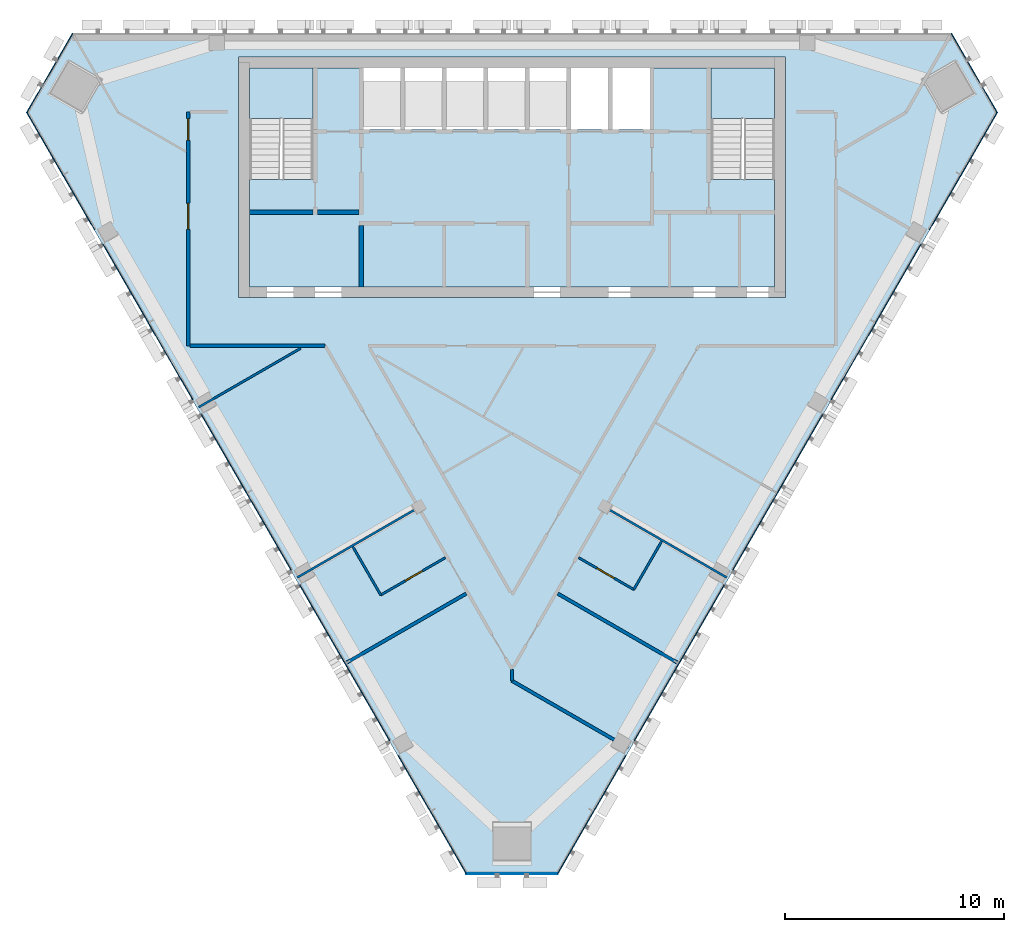
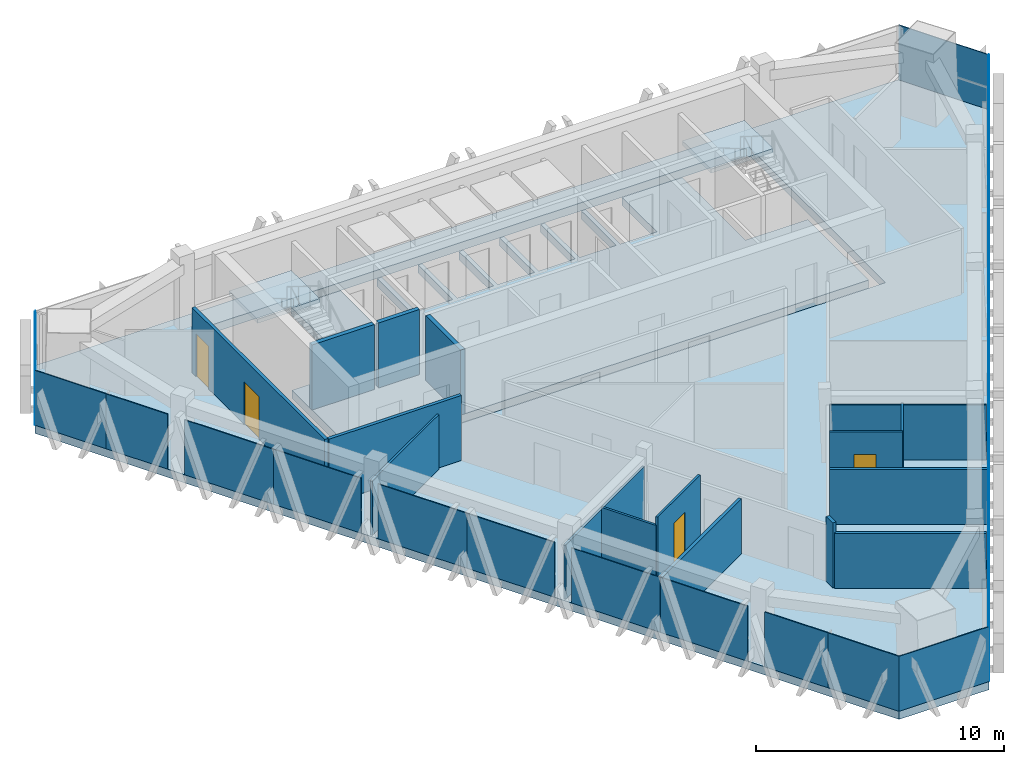
# One storey, part 7 of 12: 23 plates, 16 walls, 4 doors, 4 slabs, 4 openings, 7 elements without a shape of their own.
"""IFC4 building model written with IfcOpenShell, lengths in metres."""

import ifcopenshell
import ifcopenshell.guid

model = None  # the IFC model being written
_history = None  # IfcOwnerHistory: only IFC2X3 demands one
_inside = {}  # id of a spatial element -> (the spatial element, [elements in it])
_under = {}  # id of a project, library or spatial element -> (it, [spatial elements below it])
_declared = {}  # id of a project -> (the project, [libraries it declares])
_typed = {}  # id of a type object -> (the type object, [elements of that type])
_made_of = {}  # id of a material, layer set ... -> (it, [elements and type objects made of it])


def new_model(schema):
    """Start an empty IFC model of exactly this schema.

    Asked for "IFC4X3", IfcOpenShell would pick the latest addendum, in which some entities
    have other attributes; the version numbers below select the first issue.
    IFC2X3 requires an IfcOwnerHistory on every rooted entity: one is made here for all.
    """
    global model, _history
    if schema == "IFC4X3":
        model = ifcopenshell.file(schema_version=(4, 3, 0, 0))
    else:
        model = ifcopenshell.file(schema=schema)
    _inside.clear()
    _under.clear()
    _declared.clear()
    _typed.clear()
    _made_of.clear()
    _history = None
    if model.schema == "IFC2X3":
        org = make("IfcOrganization", Name="unknown")
        user = make(
            "IfcPersonAndOrganization",
            ThePerson=make("IfcPerson", FamilyName="unknown"),
            TheOrganization=org,
        )
        app = make(
            "IfcApplication",
            ApplicationDeveloper=org,
            Version="unknown",
            ApplicationFullName="unknown",
            ApplicationIdentifier="unknown",
        )
        _history = make(
            "IfcOwnerHistory",
            OwningUser=user,
            OwningApplication=app,
            ChangeAction="ADDED",
            CreationDate=0,
        )
    return model


def make(cls, **values):
    """One entity of the class cls with the attributes given. An attribute that is None is left unset."""
    return model.create_entity(
        cls, **{name: value for name, value in values.items() if value is not None}
    )


def rooted(cls, **values):
    """An entity with a GlobalId (a new one), such as an element, a storey or a relation."""
    return make(cls, GlobalId=ifcopenshell.guid.new(), OwnerHistory=_history, **values)


def si_unit(unit_type, name, prefix=None):
    """IfcSIUnit, for example si_unit("LENGTHUNIT", "METRE", prefix="MILLI")."""
    return make("IfcSIUnit", UnitType=unit_type, Prefix=prefix, Name=name)


def assignment(units):
    """IfcUnitAssignment: the units of a project."""
    return None if units is None else make("IfcUnitAssignment", Units=units)


def point(xyz):
    """IfcCartesianPoint."""
    return None if xyz is None else make("IfcCartesianPoint", Coordinates=xyz)


def direction(xyz):
    """IfcDirection."""
    return None if xyz is None else make("IfcDirection", DirectionRatios=xyz)


def frame(location, z_axis=None, x_axis=None):
    """IfcAxis2Placement3D, a coordinate frame: its origin and axes. An axis left out is left unset."""
    return make(
        "IfcAxis2Placement3D",
        Location=point(location),
        Axis=direction(z_axis),
        RefDirection=direction(x_axis),
    )


def frame_2d(location, x_axis=None):
    """IfcAxis2Placement2D, a coordinate frame in the plane: its origin and x axis."""
    return make(
        "IfcAxis2Placement2D", Location=point(location), RefDirection=direction(x_axis)
    )


def origin():
    """The frame at (0, 0, 0) with its axes left unset."""
    return frame((0.0, 0.0, 0.0))


def origin_2d():
    """The frame at (0, 0) in the plane with its x axis left unset."""
    return frame_2d((0.0, 0.0))


def place(relative_to, where):
    """IfcLocalPlacement: puts the frame where relative to a parent placement (None: the world)."""
    return make(
        "IfcLocalPlacement", PlacementRelTo=relative_to, RelativePlacement=where
    )


def context(
    kind, dimensions, precision=None, world=None, true_north=None, identifier=None
):
    """IfcGeometricRepresentationContext, for example the 3D "Model" context."""
    return make(
        "IfcGeometricRepresentationContext",
        ContextIdentifier=identifier,
        ContextType=kind,
        CoordinateSpaceDimension=dimensions,
        Precision=precision,
        WorldCoordinateSystem=world,
        TrueNorth=true_north,
    )


def subcontext(parent, identifier, kind, view, scale=None):
    """IfcGeometricRepresentationSubContext, for example "Body" below "Model"."""
    return make(
        "IfcGeometricRepresentationSubContext",
        ContextIdentifier=identifier,
        ContextType=kind,
        ParentContext=parent,
        TargetScale=scale,
        TargetView=view,
    )


def project(units=None, contexts=None):
    """IfcProject with its units and contexts."""
    return rooted(
        "IfcProject",
        Name="project",
        RepresentationContexts=contexts,
        UnitsInContext=assignment(units),
    )


def spatial(cls, under=None, at=None, **own):
    """A site, building, storey or space (cls), placed at a placement, below another one or the project."""
    s = rooted(cls, ObjectPlacement=at, **own)
    if under is not None:
        _under.setdefault(under.id(), (under, []))[1].append(s)
    return s


def polyline(points):
    """IfcPolyline through the points."""
    return make("IfcPolyline", Points=[point(p) for p in points])


def profile(cls, at=None, kind="AREA", **sizes):
    """A parametric profile (cls). Its sizes go by their IFC names, for example OverallWidth=200.0."""
    return make(cls, ProfileType=kind, Position=at, **sizes)


def rectangle(**sizes):
    """IfcRectangleProfileDef."""
    return profile("IfcRectangleProfileDef", **sizes)


def outline(outer, holes=None, kind="AREA"):
    """IfcArbitraryClosedProfileDef: a profile drawn as a closed curve; with holes, ...WithVoids."""
    if holes is None:
        return make("IfcArbitraryClosedProfileDef", ProfileType=kind, OuterCurve=outer)
    return make(
        "IfcArbitraryProfileDefWithVoids",
        ProfileType=kind,
        OuterCurve=outer,
        InnerCurves=holes,
    )


def extrude(swept, where, along, depth):
    """IfcExtrudedAreaSolid: the profile swept, set in the frame where, extruded along a direction by depth."""
    return make(
        "IfcExtrudedAreaSolid",
        SweptArea=swept,
        Position=where,
        ExtrudedDirection=direction(along),
        Depth=depth,
    )


def shape(context_of_items, identifier, shape_type, items):
    """IfcShapeRepresentation: the items that make up one representation, for example the "Body"."""
    return make(
        "IfcShapeRepresentation",
        ContextOfItems=context_of_items,
        RepresentationIdentifier=identifier,
        RepresentationType=shape_type,
        Items=items,
    )


def material(Name=None, Category=None):
    """IfcMaterial."""
    return make("IfcMaterial", Name=Name, Category=Category)


def layer(
    of_material, thickness, ventilated=None, Name=None, Category=None, Priority=None
):
    """IfcMaterialLayer: one layer of a wall or slab, of a material (None: an air gap)."""
    return make(
        "IfcMaterialLayer",
        Material=of_material,
        LayerThickness=thickness,
        IsVentilated=ventilated,
        Name=Name,
        Category=Category,
        Priority=Priority,
    )


def layer_set(layers, Name=None):
    """IfcMaterialLayerSet."""
    return make("IfcMaterialLayerSet", MaterialLayers=layers, LayerSetName=Name)


def made_of(thing, what):
    """Note that an element or type object is made of a material, layer set ...; save() writes the relation."""
    if what is not None:
        _made_of.setdefault(what.id(), (what, []))[1].append(thing)
    return thing


def type_object(cls, material=None, **own):
    """A type object (cls), such as IfcWallType, which elements share."""
    return made_of(rooted(cls, **own), material)


def element(
    cls,
    number,
    at=None,
    inside=None,
    cuts=None,
    type_object=None,
    material=None,
    context=None,
    identifier="Body",
    shape_type=None,
    held_by="IfcProductDefinitionShape",
    body=None,
    shapes=None,
    **own,
):
    """One element of the class cls, such as IfcWall. Its Tag is "e" and its number.

    at: its placement. inside: the storey or other place that contains it. cuts: it is an
    opening in that element (IfcRelVoidsElement). A single representation is given by context,
    identifier, shape_type and body (its items); several are given by shapes. held_by: the class
    of the entity that holds the representations. save() writes the other relations.
    """
    e = rooted(cls, Tag="e%d" % number, ObjectPlacement=at, **own)
    if body is not None:
        shapes = [shape(context, identifier, shape_type, body)]
    if shapes is not None:
        e.Representation = make(held_by, Representations=shapes)
    if inside is not None:
        _inside.setdefault(inside.id(), (inside, []))[1].append(e)
    if cuts is not None:
        rooted(
            "IfcRelVoidsElement", RelatingBuildingElement=cuts, RelatedOpeningElement=e
        )
    if type_object is not None:
        _typed.setdefault(type_object.id(), (type_object, []))[1].append(e)
    return made_of(e, material)


def fill(opening, filler):
    """IfcRelFillsElement: the door or window that sits in an opening."""
    return rooted(
        "IfcRelFillsElement",
        RelatingOpeningElement=opening,
        RelatedBuildingElement=filler,
    )


def aggregate(whole, parts):
    """IfcRelAggregates: a whole, such as a stair, and the parts it consists of."""
    return rooted("IfcRelAggregates", RelatingObject=whole, RelatedObjects=parts)


def save(model, path):
    """Write the relations noted so far, then the file.

    IfcRelAggregates (storeys below a building ...), IfcRelContainedInSpatialStructure (elements
    in a storey), IfcRelDefinesByType, IfcRelAssociatesMaterial and IfcRelDeclares: one each for
    every whole, place, type object, material and project.
    """
    for whole, parts in _under.values():
        aggregate(whole, parts)
    for where, things in _inside.values():
        rooted(
            "IfcRelContainedInSpatialStructure",
            RelatedElements=things,
            RelatingStructure=where,
        )
    for kind, things in _typed.values():
        rooted("IfcRelDefinesByType", RelatedObjects=things, RelatingType=kind)
    for what, things in _made_of.values():
        rooted("IfcRelAssociatesMaterial", RelatedObjects=things, RelatingMaterial=what)
    for by, libraries in _declared.values():
        rooted("IfcRelDeclares", RelatingContext=by, RelatedDefinitions=libraries)
    model.write(path)


model = new_model("IFC4")

# Units and contexts
model_context = context("Model", 3, precision=1e-05, world=origin(), true_north=direction((0.0, 1.0)))
body_context = subcontext(model_context, "Body", "Model", "MODEL_VIEW")
ifc_project = project(units=[si_unit("LENGTHUNIT", "METRE"), si_unit("AREAUNIT", "SQUARE_METRE"), si_unit("VOLUMEUNIT", "CUBIC_METRE"), si_unit("PLANEANGLEUNIT", "RADIAN"), si_unit("MASSUNIT", "GRAM", prefix="KILO")], contexts=[model_context])

# Site, building, storey
site_placement = place(None, origin())
site = spatial("IfcSite", under=ifc_project, at=site_placement, CompositionType="ELEMENT")
building_placement = place(site_placement, origin())
building = spatial("IfcBuilding", under=site, at=building_placement, Name="Altiplano Prism Tower", CompositionType="ELEMENT")
storey_placement = place(building_placement, frame((0.0, 0.0, 298.60009765625)))
storey = spatial("IfcBuildingStorey", under=building, at=storey_placement, Name="L77", CompositionType="ELEMENT", Elevation=298.60009765625)

# Curtain wall, plate
ifc_material_1 = material(Name="Aluminium and glass", Category="aluminium")
ifc_layer_1 = layer(ifc_material_1, 0.280029296875)
ifc_layer_set_1 = layer_set([ifc_layer_1], Name="Aluminium and glass")
curtain_wall_type = type_object("IfcCurtainWallType", Name="CW1 typical co-living unitised curtain wall", PredefinedType="NOTDEFINED", material=ifc_layer_set_1)
curtain_wall_1_placement = place(storey_placement, origin())
curtain_wall_1 = element("IfcCurtainWall", 1, at=curtain_wall_1_placement, inside=storey, type_object=curtain_wall_type, Name="CW1 curtain wall north-west chamfer L77", PredefinedType="NOTDEFINED")
ifc_material_2 = material(Name="Clear glass", Category="glass")
ifc_layer_2 = layer(ifc_material_2, 0.0400390625)
ifc_layer_set_2 = layer_set([ifc_layer_2], Name="Clear glass")
plate_type = type_object("IfcPlateType", Name="CW1 insulated glass unit 40", PredefinedType="CURTAIN_PANEL", material=ifc_layer_set_2)
plate_1_placement = place(storey_placement, frame((63.858642578125, 103.17431640625, 0.0), z_axis=(0.0, 0.0, 1.0), x_axis=(-0.500000071766, -0.86602536235, 0.0)))
plate_1 = element("IfcPlate", 2, at=plate_1_placement, type_object=plate_type, Name="CW1 panel", PredefinedType="CURTAIN_PANEL", context=body_context, shape_type="SweptSolid", body=[
    extrude(rectangle(XDim=4.18310546875, YDim=0.0400390625, at=origin_2d()), origin(), (0.0, 0.0, 1.0), 2.699951171875),
])
aggregate(curtain_wall_1, [plate_1])

# Curtain wall, plates
curtain_wall_2_placement = place(storey_placement, origin())
curtain_wall_2 = element("IfcCurtainWall", 3, at=curtain_wall_2_placement, inside=storey, type_object=curtain_wall_type, Name="CW1 curtain wall south-west face L77", PredefinedType="NOTDEFINED")
plate_2_placement = place(storey_placement, frame((63.63671875, 99.947509765625, 0.0), z_axis=(0.0, 0.0, 1.0), x_axis=(0.499999992684, -0.866025408008, 0.0)))
plate_2 = element("IfcPlate", 4, at=plate_2_placement, type_object=plate_type, Name="CW1 panel", PredefinedType="CURTAIN_PANEL", context=body_context, shape_type="SweptSolid", body=[
    extrude(rectangle(XDim=3.295166015625, YDim=0.0400390625, at=origin_2d()), origin(), (0.0, 0.0, 1.0), 2.699951171875),
])
plate_3_placement = place(storey_placement, frame((65.181884765625, 97.27099609375, 0.0), z_axis=(0.0, 0.0, 1.0), x_axis=(0.499999992684, -0.866025408008, 0.0)))
plate_3 = element("IfcPlate", 5, at=plate_3_placement, type_object=plate_type, Name="CW1 panel", PredefinedType="CURTAIN_PANEL", context=body_context, shape_type="SweptSolid", body=[
    extrude(rectangle(XDim=2.86572265625, YDim=0.0400390625, at=origin_2d()), origin(), (0.0, 0.0, 1.0), 2.699951171875),
])
plate_4_placement = place(storey_placement, frame((67.328125, 93.553466796875, 0.0), z_axis=(0.0, 0.0, 1.0), x_axis=(0.499999992684, -0.866025408008, 0.0)))
plate_4 = element("IfcPlate", 6, at=plate_4_placement, type_object=plate_type, Name="CW1 panel", PredefinedType="CURTAIN_PANEL", context=body_context, shape_type="SweptSolid", body=[
    extrude(rectangle(XDim=4.139404296875, YDim=0.0400390625, at=origin_2d()), origin(), (0.0, 0.0, 1.0), 2.699951171875),
])
plate_5_placement = place(storey_placement, frame((69.383056640625, 89.994140625, 0.0), z_axis=(0.0, 0.0, 1.0), x_axis=(0.499999992684, -0.866025408008, 0.0)))
plate_5 = element("IfcPlate", 7, at=plate_5_placement, type_object=plate_type, Name="CW1 panel", PredefinedType="CURTAIN_PANEL", context=body_context, shape_type="SweptSolid", body=[
    extrude(rectangle(XDim=4.060302734375, YDim=0.0400390625, at=origin_2d()), origin(), (0.0, 0.0, 1.0), 2.699951171875),
])
plate_6_placement = place(storey_placement, frame((71.828125, 85.75927734375, 0.0), z_axis=(0.0, 0.0, 1.0), x_axis=(0.499999992684, -0.866025408008, 0.0)))
plate_6 = element("IfcPlate", 8, at=plate_6_placement, type_object=plate_type, Name="CW1 panel", PredefinedType="CURTAIN_PANEL", context=body_context, shape_type="SweptSolid", body=[
    extrude(rectangle(XDim=4.139404296875, YDim=0.0400390625, at=origin_2d()), origin(), (0.0, 0.0, 1.0), 2.699951171875),
])
plate_7_placement = place(storey_placement, frame((73.883056640625, 82.199951171875, 0.0), z_axis=(0.0, 0.0, 1.0), x_axis=(0.499999992684, -0.866025408008, 0.0)))
plate_7 = element("IfcPlate", 9, at=plate_7_placement, type_object=plate_type, Name="CW1 panel", PredefinedType="CURTAIN_PANEL", context=body_context, shape_type="SweptSolid", body=[
    extrude(rectangle(XDim=4.060302734375, YDim=0.0400390625, at=origin_2d()), origin(), (0.0, 0.0, 1.0), 2.699951171875),
])
plate_8_placement = place(storey_placement, frame((76.328125, 77.965087890625, 0.0), z_axis=(0.0, 0.0, 1.0), x_axis=(0.499999992684, -0.866025408008, 0.0)))
plate_8 = element("IfcPlate", 10, at=plate_8_placement, type_object=plate_type, Name="CW1 panel", PredefinedType="CURTAIN_PANEL", context=body_context, shape_type="SweptSolid", body=[
    extrude(rectangle(XDim=4.139404296875, YDim=0.0400390625, at=origin_2d()), origin(), (0.0, 0.0, 1.0), 2.699951171875),
])
plate_9_placement = place(storey_placement, frame((78.383056640625, 74.40576171875, 0.0), z_axis=(0.0, 0.0, 1.0), x_axis=(0.499999992684, -0.866025408008, 0.0)))
plate_9 = element("IfcPlate", 11, at=plate_9_placement, type_object=plate_type, Name="CW1 panel", PredefinedType="CURTAIN_PANEL", context=body_context, shape_type="SweptSolid", body=[
    extrude(rectangle(XDim=4.060302734375, YDim=0.0400390625, at=origin_2d()), origin(), (0.0, 0.0, 1.0), 2.699951171875),
])
plate_10_placement = place(storey_placement, frame((80.529541015625, 70.688232421875, 0.0), z_axis=(0.0, 0.0, 1.0), x_axis=(0.499999992684, -0.866025408008, 0.0)))
plate_10 = element("IfcPlate", 12, at=plate_10_placement, type_object=plate_type, Name="CW1 panel", PredefinedType="CURTAIN_PANEL", context=body_context, shape_type="SweptSolid", body=[
    extrude(rectangle(XDim=2.94482421875, YDim=0.0400390625, at=origin_2d()), origin(), (0.0, 0.0, 1.0), 2.699951171875),
])
plate_11_placement = place(storey_placement, frame((82.094482421875, 67.9775390625, 0.0), z_axis=(0.0, 0.0, 1.0), x_axis=(0.499999992684, -0.866025408008, 0.0)))
plate_11 = element("IfcPlate", 13, at=plate_11_placement, type_object=plate_type, Name="CW1 panel", PredefinedType="CURTAIN_PANEL", context=body_context, shape_type="SweptSolid", body=[
    extrude(rectangle(XDim=3.295166015625, YDim=0.0400390625, at=origin_2d()), origin(), (0.0, 0.0, 1.0), 2.699951171875),
])
aggregate(curtain_wall_2, [plate_2, plate_3, plate_4, plate_5, plate_6, plate_7, plate_8, plate_9, plate_10, plate_11])

# Curtain wall, plate
curtain_wall_3_placement = place(storey_placement, origin())
curtain_wall_3 = element("IfcCurtainWall", 14, at=curtain_wall_3_placement, inside=storey, type_object=curtain_wall_type, Name="CW1 curtain wall south chamfer L77", PredefinedType="NOTDEFINED")
plate_12_placement = place(storey_placement, frame((85.0, 66.556396484375, 0.0), z_axis=(0.0, 0.0, 1.0), x_axis=(1.0, 0.0, 0.0)))
plate_12 = element("IfcPlate", 15, at=plate_12_placement, type_object=plate_type, Name="CW1 panel", PredefinedType="CURTAIN_PANEL", context=body_context, shape_type="SweptSolid", body=[
    extrude(rectangle(XDim=4.18310546875, YDim=0.0400390625, at=origin_2d()), origin(), (0.0, 0.0, 1.0), 2.699951171875),
])
aggregate(curtain_wall_3, [plate_12])

# Curtain wall, plates
curtain_wall_4_placement = place(storey_placement, origin())
curtain_wall_4 = element("IfcCurtainWall", 16, at=curtain_wall_4_placement, inside=storey, type_object=curtain_wall_type, Name="CW1 curtain wall south-east face L77", PredefinedType="NOTDEFINED")
plate_13_placement = place(storey_placement, frame((87.905517578125, 67.9775390625, 0.0), z_axis=(0.0, 0.0, 1.0), x_axis=(0.499999992684, 0.866025408008, 0.0)))
plate_13 = element("IfcPlate", 17, at=plate_13_placement, type_object=plate_type, Name="CW1 panel", PredefinedType="CURTAIN_PANEL", context=body_context, shape_type="SweptSolid", body=[
    extrude(rectangle(XDim=3.295166015625, YDim=0.0400390625, at=origin_2d()), origin(), (0.0, 0.0, 1.0), 2.699951171875),
])
plate_14_placement = place(storey_placement, frame((89.470458984375, 70.688232421875, 0.0), z_axis=(0.0, 0.0, 1.0), x_axis=(0.499999992684, 0.866025408008, 0.0)))
plate_14 = element("IfcPlate", 18, at=plate_14_placement, type_object=plate_type, Name="CW1 panel", PredefinedType="CURTAIN_PANEL", context=body_context, shape_type="SweptSolid", body=[
    extrude(rectangle(XDim=2.94482421875, YDim=0.0400390625, at=origin_2d()), origin(), (0.0, 0.0, 1.0), 2.699951171875),
])
plate_15_placement = place(storey_placement, frame((91.616943359375, 74.40576171875, 0.0), z_axis=(0.0, 0.0, 1.0), x_axis=(0.499999992684, 0.866025408008, 0.0)))
plate_15 = element("IfcPlate", 19, at=plate_15_placement, type_object=plate_type, Name="CW1 panel", PredefinedType="CURTAIN_PANEL", context=body_context, shape_type="SweptSolid", body=[
    extrude(rectangle(XDim=4.060302734375, YDim=0.0400390625, at=origin_2d()), origin(), (0.0, 0.0, 1.0), 2.699951171875),
])
plate_16_placement = place(storey_placement, frame((93.671875, 77.965087890625, 0.0), z_axis=(0.0, 0.0, 1.0), x_axis=(0.499999992684, 0.866025408008, 0.0)))
plate_16 = element("IfcPlate", 20, at=plate_16_placement, type_object=plate_type, Name="CW1 panel", PredefinedType="CURTAIN_PANEL", context=body_context, shape_type="SweptSolid", body=[
    extrude(rectangle(XDim=4.139404296875, YDim=0.0400390625, at=origin_2d()), origin(), (0.0, 0.0, 1.0), 2.699951171875),
])
plate_17_placement = place(storey_placement, frame((96.116943359375, 82.199951171875, 0.0), z_axis=(0.0, 0.0, 1.0), x_axis=(0.499999992684, 0.866025408008, 0.0)))
plate_17 = element("IfcPlate", 21, at=plate_17_placement, type_object=plate_type, Name="CW1 panel", PredefinedType="CURTAIN_PANEL", context=body_context, shape_type="SweptSolid", body=[
    extrude(rectangle(XDim=4.060302734375, YDim=0.0400390625, at=origin_2d()), origin(), (0.0, 0.0, 1.0), 2.699951171875),
])
plate_18_placement = place(storey_placement, frame((98.171875, 85.75927734375, 0.0), z_axis=(0.0, 0.0, 1.0), x_axis=(0.499999992684, 0.866025408008, 0.0)))
plate_18 = element("IfcPlate", 22, at=plate_18_placement, type_object=plate_type, Name="CW1 panel", PredefinedType="CURTAIN_PANEL", context=body_context, shape_type="SweptSolid", body=[
    extrude(rectangle(XDim=4.139404296875, YDim=0.0400390625, at=origin_2d()), origin(), (0.0, 0.0, 1.0), 2.699951171875),
])
plate_19_placement = place(storey_placement, frame((100.616943359375, 89.994140625, 0.0), z_axis=(0.0, 0.0, 1.0), x_axis=(0.499999992684, 0.866025408008, 0.0)))
plate_19 = element("IfcPlate", 23, at=plate_19_placement, type_object=plate_type, Name="CW1 panel", PredefinedType="CURTAIN_PANEL", context=body_context, shape_type="SweptSolid", body=[
    extrude(rectangle(XDim=4.060302734375, YDim=0.0400390625, at=origin_2d()), origin(), (0.0, 0.0, 1.0), 2.699951171875),
])
plate_20_placement = place(storey_placement, frame((102.671875, 93.553466796875, 0.0), z_axis=(0.0, 0.0, 1.0), x_axis=(0.499999992684, 0.866025408008, 0.0)))
plate_20 = element("IfcPlate", 24, at=plate_20_placement, type_object=plate_type, Name="CW1 panel", PredefinedType="CURTAIN_PANEL", context=body_context, shape_type="SweptSolid", body=[
    extrude(rectangle(XDim=4.139404296875, YDim=0.0400390625, at=origin_2d()), origin(), (0.0, 0.0, 1.0), 2.699951171875),
])
plate_21_placement = place(storey_placement, frame((104.818115234375, 97.27099609375, 0.0), z_axis=(0.0, 0.0, 1.0), x_axis=(0.499999992684, 0.866025408008, 0.0)))
plate_21 = element("IfcPlate", 25, at=plate_21_placement, type_object=plate_type, Name="CW1 panel", PredefinedType="CURTAIN_PANEL", context=body_context, shape_type="SweptSolid", body=[
    extrude(rectangle(XDim=2.86572265625, YDim=0.0400390625, at=origin_2d()), origin(), (0.0, 0.0, 1.0), 2.699951171875),
])
plate_22_placement = place(storey_placement, frame((106.36328125, 99.947509765625, 0.0), z_axis=(0.0, 0.0, 1.0), x_axis=(0.499999992684, 0.866025408008, 0.0)))
plate_22 = element("IfcPlate", 26, at=plate_22_placement, type_object=plate_type, Name="CW1 panel", PredefinedType="CURTAIN_PANEL", context=body_context, shape_type="SweptSolid", body=[
    extrude(rectangle(XDim=3.295166015625, YDim=0.0400390625, at=origin_2d()), origin(), (0.0, 0.0, 1.0), 2.699951171875),
])
aggregate(curtain_wall_4, [plate_13, plate_14, plate_15, plate_16, plate_17, plate_18, plate_19, plate_20, plate_21, plate_22])

# Curtain wall, plate
curtain_wall_5_placement = place(storey_placement, origin())
curtain_wall_5 = element("IfcCurtainWall", 27, at=curtain_wall_5_placement, inside=storey, type_object=curtain_wall_type, Name="CW1 curtain wall north-east chamfer L77", PredefinedType="NOTDEFINED")
plate_23_placement = place(storey_placement, frame((106.141357421875, 103.17431640625, 0.0), z_axis=(0.0, 0.0, 1.0), x_axis=(-0.500000071766, 0.86602536235, 0.0)))
plate_23 = element("IfcPlate", 28, at=plate_23_placement, type_object=plate_type, Name="CW1 panel", PredefinedType="CURTAIN_PANEL", context=body_context, shape_type="SweptSolid", body=[
    extrude(rectangle(XDim=4.18310546875, YDim=0.0400390625, at=origin_2d()), origin(), (0.0, 0.0, 1.0), 2.699951171875),
])
aggregate(curtain_wall_5, [plate_23])

# Slabs
ifc_material_3 = material(Name="Concrete C40/50", Category="concrete")
ifc_layer_3 = layer(ifc_material_3, 0.39990234375)
ifc_layer_set_3 = layer_set([ifc_layer_3], Name="Concrete C40/50")
slab_type_1 = type_object("IfcSlabType", Name="Core floor slab 400", PredefinedType="FLOOR", material=ifc_layer_set_3)
slab_1_placement = place(storey_placement, frame((0.0, 0.0, -0.400146484375)))
element("IfcSlab", 29, at=slab_1_placement, inside=storey, type_object=slab_type_1, Name="Core floor slab L77", PredefinedType="FLOOR", context=body_context, shape_type="SweptSolid", body=[
    extrude(outline(polyline([(97.0, 98.31005859375), (94.10009765625, 98.31005859375), (94.10009765625, 103.39990234375), (91.300048828125, 103.39990234375), (91.300048828125, 100.60009765625), (89.60009765625, 100.60009765625), (89.60009765625, 103.39990234375), (89.39990234375, 103.39990234375), (89.39990234375, 100.60009765625), (87.699951171875, 100.60009765625), (87.699951171875, 103.39990234375), (87.5, 103.39990234375), (87.5, 100.60009765625), (85.800048828125, 100.60009765625), (85.800048828125, 103.39990234375), (85.60009765625, 103.39990234375), (85.60009765625, 100.60009765625), (83.89990234375, 100.60009765625), (83.89990234375, 103.39990234375), (83.699951171875, 103.39990234375), (83.699951171875, 100.60009765625), (82.0, 100.60009765625), (82.0, 103.39990234375), (81.800048828125, 103.39990234375), (81.800048828125, 100.60009765625), (80.10009765625, 100.60009765625), (80.10009765625, 103.39990234375), (79.89990234375, 103.39990234375), (79.89990234375, 100.60009765625), (78.199951171875, 100.60009765625), (78.199951171875, 103.39990234375), (75.89990234375, 103.39990234375), (75.89990234375, 98.31005859375), (73.0, 98.31005859375), (73.0, 93.39990234375), (97.0, 93.39990234375), (97.0, 98.31005859375)])), origin(), (0.0, 0.0, 1.0), 0.400146484375),
])
ifc_layer_4 = layer(ifc_material_3, 0.39990234375)
ifc_layer_set_4 = layer_set([ifc_layer_4], Name="Concrete C40/50")
slab_type_2 = type_object("IfcSlabType", Name="Post-tensioned flat slab 400", PredefinedType="FLOOR", material=ifc_layer_set_4)
slab_2_placement = place(storey_placement, frame((0.0, 0.0, -0.400146484375)))
element("IfcSlab", 30, at=slab_2_placement, inside=storey, type_object=slab_type_2, Name="Floor slab L77", PredefinedType="FLOOR", context=body_context, shape_type="SweptSolid", body=[
    extrude(outline(polyline([(107.20703125, 101.36865234375), (87.096435546875, 66.536376953125), (82.903564453125, 66.536376953125), (62.79296875, 101.36865234375), (64.889404296875, 105.0), (105.110595703125, 105.0), (107.20703125, 101.36865234375)]), holes=[polyline([(97.5, 92.89990234375), (97.5, 103.89990234375), (72.5, 103.89990234375), (72.5, 92.89990234375), (97.5, 92.89990234375)])]), origin(), (0.0, 0.0, 1.0), 0.400146484375),
])

# Stair, slab
stair_type = type_object("IfcStairType", Name="Exit stair 1400", PredefinedType="HALF_TURN_STAIR", material=ifc_material_3)
stair_1_placement = place(storey_placement, origin())
stair_1 = element("IfcStair", 31, at=stair_1_placement, inside=storey, type_object=stair_type, Name="L77 Exit Stair 1", PredefinedType="HALF_TURN_STAIR")
ifc_layer_5 = layer(ifc_material_3, 0.199951171875)
ifc_layer_set_5 = layer_set([ifc_layer_5], Name="Concrete C40/50")
slab_type_3 = type_object("IfcSlabType", Name="Stair landing 200", PredefinedType="LANDING", material=ifc_layer_set_5)
slab_3_placement = place(storey_placement, frame((0.0, 0.0, 1.599853515625)))
slab_3 = element("IfcSlab", 32, at=slab_3_placement, type_object=slab_type_3, Name="ST1 landing 1", PredefinedType="LANDING", context=body_context, shape_type="SweptSolid", body=[
    extrude(outline(polyline([(75.89990234375, 101.096923828125), (75.89990234375, 103.39990234375), (73.0, 103.39990234375), (73.0, 101.096923828125), (75.89990234375, 101.096923828125)])), origin(), (0.0, 0.0, 1.0), 0.199951171875),
])
aggregate(stair_1, [slab_3])

stair_2_placement = place(storey_placement, origin())
stair_2 = element("IfcStair", 33, at=stair_2_placement, inside=storey, type_object=stair_type, Name="L77 Exit Stair 2", PredefinedType="HALF_TURN_STAIR")
slab_4_placement = place(storey_placement, frame((0.0, 0.0, 1.599853515625)))
slab_4 = element("IfcSlab", 34, at=slab_4_placement, type_object=slab_type_3, Name="ST2 landing 1", PredefinedType="LANDING", context=body_context, shape_type="SweptSolid", body=[
    extrude(outline(polyline([(97.0, 101.096923828125), (97.0, 103.39990234375), (94.10009765625, 103.39990234375), (94.10009765625, 101.096923828125), (97.0, 101.096923828125)])), origin(), (0.0, 0.0, 1.0), 0.199951171875),
])
aggregate(stair_2, [slab_4])

# Wall, opening, door
ifc_material_4 = material(Name="Plasterboard on steel stud", Category="steel")
ifc_layer_6 = layer(ifc_material_4, 0.10009765625)
ifc_layer_set_6 = layer_set([ifc_layer_6], Name="Plasterboard on steel stud")
wall_type_1 = type_object("IfcWallType", Name="Partition 100 unit", PredefinedType="PARTITIONING", material=ifc_layer_set_6)
wall_1_placement = place(storey_placement, frame((81.96240234375, 81.016357421875, 0.0), z_axis=(0.0, 0.0, 1.0), x_axis=(-0.866001587311, -0.500041249073, 0.0)))
wall_1 = element("IfcWall", 35, at=wall_1_placement, inside=storey, type_object=wall_type_1, Name="Partition P02 L77 020", PredefinedType="PARTITIONING", context=body_context, shape_type="SweptSolid", body=[
    extrude(rectangle(XDim=3.425048828125, YDim=0.10009765625, at=frame_2d((1.71240234375, 0.0))), origin(), (0.0, 0.0, 1.0), 3.199951171875),
])
opening_1_placement = place(wall_1_placement, frame((1.22509765625, 0.0, 0.0)))
opening_1 = element("IfcOpeningElement", 36, at=opening_1_placement, cuts=wall_1, Name="Opening D2349", PredefinedType="OPENING", context=body_context, shape_type="SweptSolid", body=[
    extrude(rectangle(XDim=0.89990234375, YDim=2.10009765625, at=frame_2d((0.449951171875, 1.050048828125))), frame((0.0, 0.060546875, 0.0), z_axis=(0.0, -1.0, 0.0), x_axis=(1.0, 0.0, 0.0)), (0.0, 0.0, 1.0), 0.12109375),
])
ifc_material_5 = material(Name="Timber", Category="wood")
door_type_1 = type_object("IfcDoorType", Name="Accessible ensuite door 900 x 2100", OperationType="NOTDEFINED", PredefinedType="NOTDEFINED", material=ifc_material_5)
door_1_placement = place(opening_1_placement, origin())
door_1 = element("IfcDoor", 37, at=door_1_placement, inside=storey, type_object=door_type_1, Name="Door D2349", OperationType="SINGLE_SWING_RIGHT", OverallHeight=2.10009765625, OverallWidth=0.89990234375, PredefinedType="NOTDEFINED", context=body_context, shape_type="SweptSolid", body=[
    extrude(rectangle(XDim=0.89990234375, YDim=2.10009765625, at=frame_2d((0.449951171875, 1.050048828125))), frame((0.0, 0.02490234375, 0.0), z_axis=(0.0, -1.0, 0.0), x_axis=(1.0, 0.0, 0.0)), (0.0, 0.0, 1.0), 0.050048828125),
])
fill(opening_1, door_1)

# Walls
wall_2_placement = place(storey_placement, frame((78.996337890625, 79.3037109375, 0.0), z_axis=(0.0, 0.0, 1.0), x_axis=(-0.499948979701, 0.866054858364, 0.0)))
element("IfcWall", 38, at=wall_2_placement, inside=storey, type_object=wall_type_1, Name="Partition P02 L77 021", PredefinedType="PARTITIONING", context=body_context, shape_type="SweptSolid", body=[
    extrude(rectangle(XDim=2.550048828125, YDim=0.10009765625, at=frame_2d((1.27490234375, 0.0))), origin(), (0.0, 0.0, 1.0), 2.7998046875),
])
wall_3_placement = place(storey_placement, frame((91.845703125, 81.76220703125, 0.0), z_axis=(0.0, 0.0, 1.0), x_axis=(-0.500020783669, -0.866013403995, 0.0)))
element("IfcWall", 39, at=wall_3_placement, inside=storey, type_object=wall_type_1, Name="Partition P02 L77 026", PredefinedType="PARTITIONING", context=body_context, shape_type="SweptSolid", body=[
    extrude(rectangle(XDim=2.55029296875, YDim=0.10009765625, at=frame_2d((1.275146484375, 0.0))), origin(), (0.0, 0.0, 1.0), 2.7998046875),
])

# Wall, opening, door
wall_4_placement = place(storey_placement, frame((90.570556640625, 79.5537109375, 0.0), z_axis=(0.0, 0.0, 1.0), x_axis=(-0.865989585315, 0.500062034277, 0.0)))
wall_4 = element("IfcWall", 40, at=wall_4_placement, inside=storey, type_object=wall_type_1, Name="Partition P02 L77 027", PredefinedType="PARTITIONING", context=body_context, shape_type="SweptSolid", body=[
    extrude(rectangle(XDim=2.925048828125, YDim=0.10009765625, at=frame_2d((1.46240234375, 0.0))), origin(), (0.0, 0.0, 1.0), 3.199951171875),
])
opening_2_placement = place(wall_4_placement, frame((1.050048828125, 0.0, 0.0)))
opening_2 = element("IfcOpeningElement", 41, at=opening_2_placement, cuts=wall_4, Name="Opening D2353", PredefinedType="OPENING", context=body_context, shape_type="SweptSolid", body=[
    extrude(rectangle(XDim=0.89990234375, YDim=2.10009765625, at=frame_2d((0.449951171875, 1.050048828125))), frame((0.0, 0.060546875, 0.0), z_axis=(0.0, -1.0, 0.0), x_axis=(1.0, 0.0, 0.0)), (0.0, 0.0, 1.0), 0.12109375),
])
door_type_2 = type_object("IfcDoorType", Name="Ensuite door 900 x 2100", OperationType="NOTDEFINED", PredefinedType="NOTDEFINED", material=ifc_material_5)
door_2_placement = place(opening_2_placement, origin())
door_2 = element("IfcDoor", 42, at=door_2_placement, inside=storey, type_object=door_type_2, Name="Door D2353", OperationType="SINGLE_SWING_RIGHT", OverallHeight=2.10009765625, OverallWidth=0.89990234375, PredefinedType="NOTDEFINED", context=body_context, shape_type="SweptSolid", body=[
    extrude(rectangle(XDim=0.89990234375, YDim=2.10009765625, at=frame_2d((0.449951171875, 1.050048828125))), frame((0.0, 0.02490234375, 0.0), z_axis=(0.0, -1.0, 0.0), x_axis=(1.0, 0.0, 0.0)), (0.0, 0.0, 1.0), 0.050048828125),
])
fill(opening_2, door_2)

# Walls
ifc_layer_7 = layer(ifc_material_4, 0.10009765625)
ifc_layer_set_7 = layer_set([ifc_layer_7], Name="Plasterboard on steel stud")
wall_type_2 = type_object("IfcWallType", Name="Partition 100 wet", PredefinedType="PARTITIONING", material=ifc_layer_set_7)
wall_5_placement = place(storey_placement, frame((70.684814453125, 87.899658203125, 0.0), z_axis=(0.0, 0.0, 1.0), x_axis=(0.866021874547, 0.500006112769, 0.0)))
element("IfcWall", 43, at=wall_5_placement, inside=storey, type_object=wall_type_2, Name="Partition P03 L77 016", PredefinedType="PARTITIONING", context=body_context, shape_type="SweptSolid", body=[
    extrude(rectangle(XDim=5.3642578125, YDim=0.10009765625, at=frame_2d((2.68212890625, 0.0))), origin(), (0.0, 0.0, 1.0), 2.699951171875),
])
for number, where, z_axis, x_axis, name in (
    (44, (75.184814453125, 80.10546875, 0.0), (0.0, 0.0, 1.0), (0.866032601554, 0.49998753289, 0.0), "Partition P03 L77 019"),
    (45, (94.815185546875, 80.10546875, 0.0), (0.0, 0.0, 1.0), (-0.866032601554, 0.49998753289, 0.0), "Partition P03 L77 028"),
):
    element("IfcWall", number, at=place(storey_placement, frame(where, z_axis=z_axis, x_axis=x_axis)), inside=storey, type_object=wall_type_2, Name=name, PredefinedType="PARTITIONING", context=body_context, shape_type="SweptSolid", body=[
        extrude(rectangle(XDim=6.324951171875, YDim=0.10009765625, at=frame_2d((3.16259765625, 0.0))), origin(), (0.0, 0.0, 1.0), 2.699951171875),
    ])

# Wall, openings, doors
ifc_layer_8 = layer(ifc_material_4, 0.14990234375)
ifc_layer_set_8 = layer_set([ifc_layer_8], Name="Plasterboard on steel stud")
wall_type_3 = type_object("IfcWallType", Name="Partition 150 corridor", PredefinedType="PARTITIONING", material=ifc_layer_set_8)
wall_6_placement = place(storey_placement, frame((70.19921875, 101.400634765625, 0.0), z_axis=(0.0, 0.0, 1.0), x_axis=(6.844627e-05, -0.999999997658, 0.0)))
wall_6 = element("IfcWall", 46, at=wall_6_placement, inside=storey, type_object=wall_type_3, Name="Partition P06 L77 004", PredefinedType="PARTITIONING", context=body_context, shape_type="SweptSolid", body=[
    extrude(rectangle(XDim=10.70068359375, YDim=0.14990234375, at=frame_2d((5.350341796875, 0.0))), origin(), (0.0, 0.0, 1.0), 3.199951171875),
])
opening_3_placement = place(wall_6_placement, frame((4.180908203125, 0.0, 0.0)))
opening_3 = element("IfcOpeningElement", 47, at=opening_3_placement, cuts=wall_6, Name="Opening D2346", PredefinedType="OPENING", context=body_context, shape_type="SweptSolid", body=[
    extrude(rectangle(XDim=1.199951171875, YDim=2.10009765625, at=frame_2d((0.60009765625, 1.050048828125))), frame((0.0, 0.08544921875, 0.0), z_axis=(0.0, -1.0, 0.0), x_axis=(1.0, 0.0, 0.0)), (0.0, 0.0, 1.0), 0.1708984375),
])
opening_4_placement = place(wall_6_placement, frame((0.31103515625, 0.0, 0.0)))
opening_4 = element("IfcOpeningElement", 48, at=opening_4_placement, cuts=wall_6, Name="Opening D2358", PredefinedType="OPENING", context=body_context, shape_type="SweptSolid", body=[
    extrude(rectangle(XDim=1.0, YDim=2.10009765625, at=frame_2d((0.5, 1.050048828125))), frame((0.0, 0.08544921875, 0.0), z_axis=(0.0, -1.0, 0.0), x_axis=(1.0, 0.0, 0.0)), (0.0, 0.0, 1.0), 0.1708984375),
])
door_type_3 = type_object("IfcDoorType", Name="Room door 1000 x 2100", OperationType="NOTDEFINED", PredefinedType="NOTDEFINED", material=ifc_material_5)
door_3_placement = place(opening_4_placement, origin())
door_3 = element("IfcDoor", 49, at=door_3_placement, inside=storey, type_object=door_type_3, Name="Door D2358", OperationType="SINGLE_SWING_LEFT", OverallHeight=2.10009765625, OverallWidth=1.0, PredefinedType="NOTDEFINED", context=body_context, shape_type="SweptSolid", body=[
    extrude(rectangle(XDim=1.0, YDim=2.10009765625, at=frame_2d((0.5, 1.050048828125))), frame((0.0, 0.02490234375, 0.0), z_axis=(0.0, -1.0, 0.0), x_axis=(1.0, 0.0, 0.0)), (0.0, 0.0, 1.0), 0.050048828125),
])
fill(opening_4, door_3)
door_type_4 = type_object("IfcDoorType", Name="Shared room door 1200 x 2100", OperationType="NOTDEFINED", PredefinedType="NOTDEFINED", material=ifc_material_5)
door_4_placement = place(opening_3_placement, origin())
door_4 = element("IfcDoor", 50, at=door_4_placement, inside=storey, type_object=door_type_4, Name="Door D2346", OperationType="SINGLE_SWING_LEFT", OverallHeight=2.10009765625, OverallWidth=1.199951171875, PredefinedType="NOTDEFINED", context=body_context, shape_type="SweptSolid", body=[
    extrude(rectangle(XDim=1.199951171875, YDim=2.10009765625, at=frame_2d((0.60009765625, 1.050048828125))), frame((0.0, 0.02490234375, 0.0), z_axis=(0.0, -1.0, 0.0), x_axis=(1.0, 0.0, 0.0)), (0.0, 0.0, 1.0), 0.050048828125),
])
fill(opening_3, door_4)

# Walls
wall_7_placement = place(storey_placement, frame((70.27490234375, 90.699951171875, 0.0), z_axis=(0.0, 0.0, 1.0), x_axis=(1.0, 0.0, 0.0)))
element("IfcWall", 51, at=wall_7_placement, inside=storey, type_object=wall_type_3, Name="Partition P06 L77 005", PredefinedType="PARTITIONING", context=body_context, shape_type="SweptSolid", body=[
    extrude(rectangle(XDim=6.18310546875, YDim=0.14990234375, at=frame_2d((3.091552734375, 0.0))), origin(), (0.0, 0.0, 1.0), 3.199951171875),
])
ifc_layer_9 = layer(ifc_material_4, 0.14990234375)
ifc_layer_set_9 = layer_set([ifc_layer_9], Name="Plasterboard on steel stud")
wall_type_4 = type_object("IfcWallType", Name="Partition 150 party", PredefinedType="PARTITIONING", material=ifc_layer_set_9)
wall_8_placement = place(storey_placement, frame((77.417236328125, 76.1982421875, 0.0), z_axis=(0.0, 0.0, 1.0), x_axis=(0.866025401434, 0.500000004071, 0.0)))
element("IfcWall", 52, at=wall_8_placement, inside=storey, type_object=wall_type_4, Name="Partition P01 L77 022", PredefinedType="PARTITIONING", context=body_context, shape_type="SweptSolid", body=[
    extrude(rectangle(XDim=6.34521484375, YDim=0.14990234375, at=frame_2d((3.172607421875, 0.0))), origin(), (0.0, 0.0, 1.0), 2.699951171875),
])
wall_9_placement = place(storey_placement, frame((90.315185546875, 72.311279296875, 0.0), z_axis=(0.0, 0.0, 1.0), x_axis=(-0.866033890558, 0.499985300189, 0.0)))
element("IfcWall", 53, at=wall_9_placement, inside=storey, type_object=wall_type_4, Name="Partition P01 L77 023", PredefinedType="PARTITIONING", context=body_context, shape_type="SweptSolid", body=[
    extrude(rectangle(XDim=6.137451171875, YDim=0.14990234375, at=frame_2d((3.06884765625, 0.0))), origin(), (0.0, 0.0, 1.0), 2.699951171875),
])
wall_10_placement = place(storey_placement, frame((85.0, 75.3798828125, 0.0), z_axis=(0.0, 0.0, 1.0), x_axis=(0.0, 1.0, 0.0)))
element("IfcWall", 54, at=wall_10_placement, inside=storey, type_object=wall_type_4, Name="Partition P01 L77 024", PredefinedType="PARTITIONING", context=body_context, shape_type="SweptSolid", body=[
    extrude(rectangle(XDim=0.525146484375, YDim=0.14990234375, at=frame_2d((0.2626953125, 0.0))), origin(), (0.0, 0.0, 1.0), 3.199951171875),
])
wall_11_placement = place(storey_placement, frame((92.582763671875, 76.1982421875, 0.0), z_axis=(0.0, 0.0, 1.0), x_axis=(-0.866025401434, 0.500000004071, 0.0)))
element("IfcWall", 55, at=wall_11_placement, inside=storey, type_object=wall_type_4, Name="Partition P01 L77 025", PredefinedType="PARTITIONING", context=body_context, shape_type="SweptSolid", body=[
    extrude(rectangle(XDim=6.34521484375, YDim=0.14990234375, at=frame_2d((3.172607421875, 0.0))), origin(), (0.0, 0.0, 1.0), 2.699951171875),
])
ifc_material_6 = material(Name="Concrete C60/75", Category="concrete")
ifc_layer_10 = layer(ifc_material_6, 0.199951171875)
ifc_layer_set_10 = layer_set([ifc_layer_10], Name="Concrete C60/75")
wall_type_5 = type_object("IfcWallType", Name="Stair wall 200", PredefinedType="SOLIDWALL", material=ifc_layer_set_10)
wall_12_placement = place(storey_placement, frame((73.0, 96.800048828125, 0.0), z_axis=(0.0, 0.0, 1.0), x_axis=(1.0, 0.0, 0.0)))
element("IfcWall", 56, at=wall_12_placement, inside=storey, type_object=wall_type_5, Name="Stair wall L77", PredefinedType="SOLIDWALL", context=body_context, shape_type="SweptSolid", body=[
    extrude(rectangle(XDim=2.89990234375, YDim=0.199951171875, at=frame_2d((1.449951171875, 0.0))), origin(), (0.0, 0.0, 1.0), 3.199951171875),
])
ifc_layer_11 = layer(ifc_material_6, 0.199951171875)
ifc_layer_set_11 = layer_set([ifc_layer_11], Name="Concrete C60/75")
wall_type_6 = type_object("IfcWallType", Name="Vestibule wall 200", PredefinedType="PARTITIONING", material=ifc_layer_set_11)
wall_13_placement = place(storey_placement, frame((78.10009765625, 93.39990234375, 0.0), z_axis=(0.0, 0.0, 1.0), x_axis=(0.0, 1.0, 0.0)))
element("IfcWall", 57, at=wall_13_placement, inside=storey, type_object=wall_type_6, Name="Vestibule wall L77", PredefinedType="PARTITIONING", context=body_context, shape_type="SweptSolid", body=[
    extrude(rectangle(XDim=2.800048828125, YDim=0.199951171875, at=frame_2d((1.39990234375, 0.0))), origin(), (0.0, 0.0, 1.0), 3.199951171875),
])
wall_14_placement = place(storey_placement, frame((76.10009765625, 96.800048828125, 0.0), z_axis=(0.0, 0.0, 1.0), x_axis=(1.0, 0.0, 0.0)))
element("IfcWall", 58, at=wall_14_placement, inside=storey, type_object=wall_type_6, Name="Vestibule wall L77", PredefinedType="PARTITIONING", context=body_context, shape_type="SweptSolid", body=[
    extrude(rectangle(XDim=1.89990234375, YDim=0.199951171875, at=frame_2d((0.949951171875, 0.0))), origin(), (0.0, 0.0, 1.0), 3.199951171875),
])

save(model, "model.ifc")
